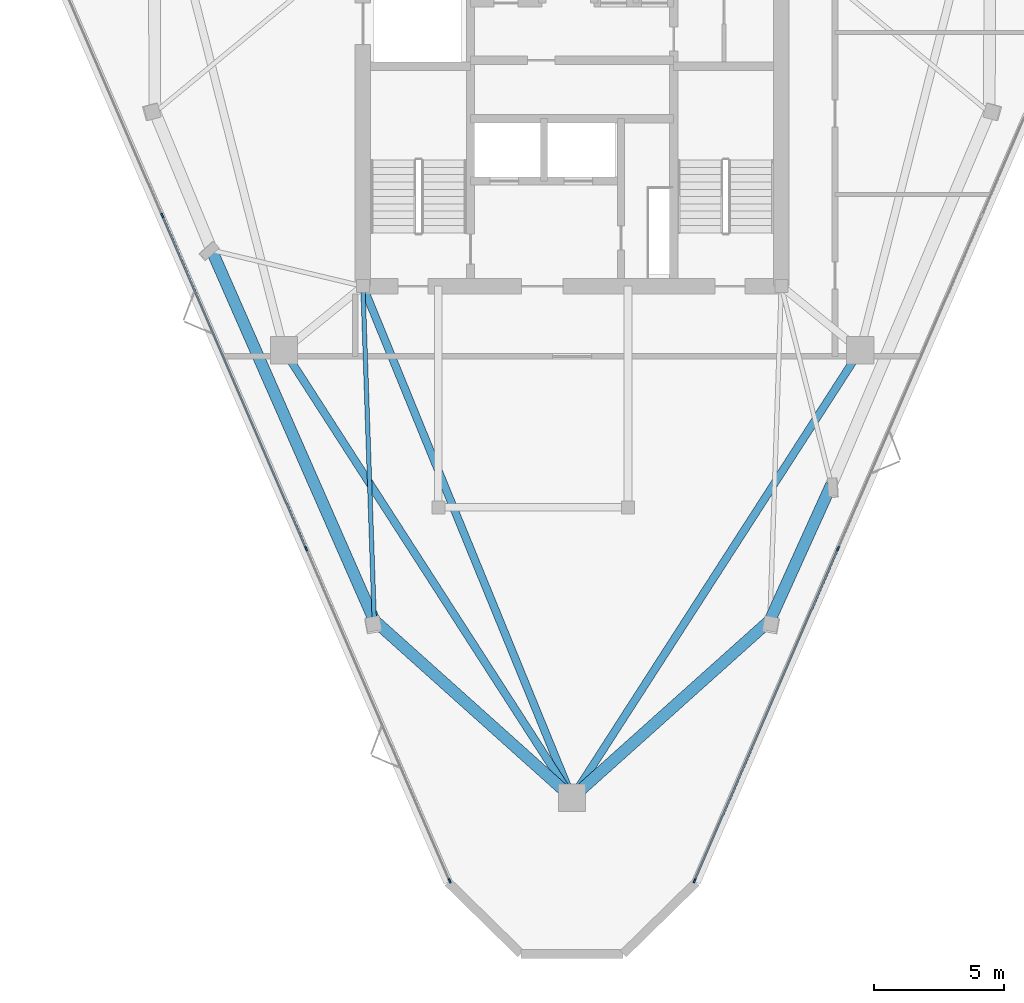
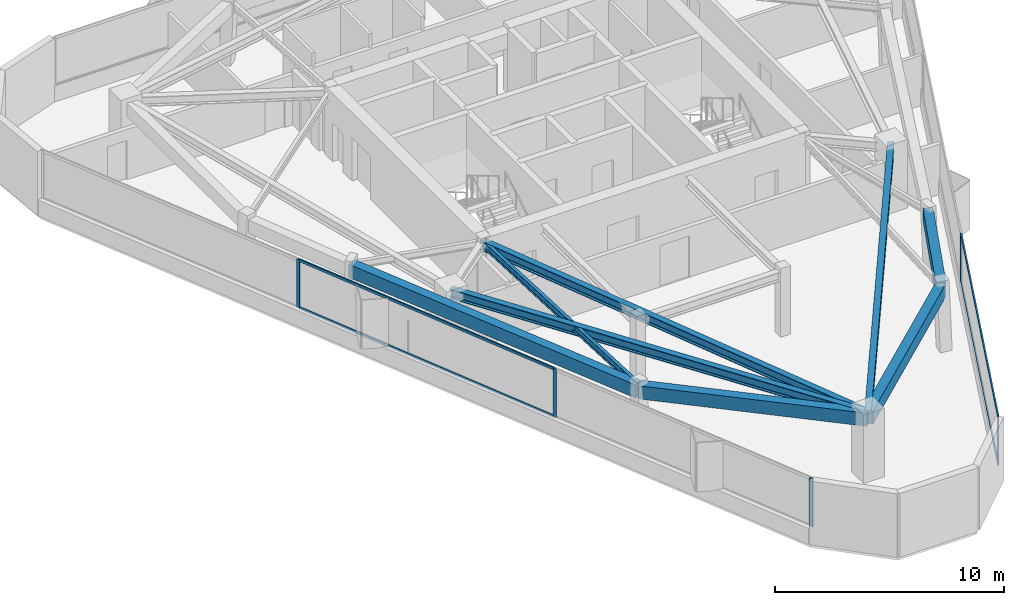
# One storey, part 2 of 10: 9 members, 8 beams, 2 elements without a shape of their own.
"""IFC4 building model written with IfcOpenShell, lengths in metres."""

from ifc_helpers import new_model, si_unit, direction, frame, origin, origin_2d, place, context, subcontext, project, spatial, rectangle, i_section, extrude, material, layer, layer_set, material_profile, profile_set, type_object, element, aggregate, save


model = new_model("IFC4")

# Units and contexts
model_context = context("Model", 3, precision=1e-05, world=origin(), true_north=direction((0.0, 1.0)))
body_context = subcontext(model_context, "Body", "Model", "MODEL_VIEW")
ifc_project = project(units=[si_unit("LENGTHUNIT", "METRE"), si_unit("AREAUNIT", "SQUARE_METRE"), si_unit("VOLUMEUNIT", "CUBIC_METRE"), si_unit("PLANEANGLEUNIT", "RADIAN"), si_unit("MASSUNIT", "GRAM", prefix="KILO")], contexts=[model_context])

# Site, building, storey
site_placement = place(None, origin())
site = spatial("IfcSite", under=ifc_project, at=site_placement, CompositionType="ELEMENT")
building_placement = place(site_placement, origin())
building = spatial("IfcBuilding", under=site, at=building_placement, Name="Talyreon Biosciences Tower", CompositionType="ELEMENT")
storey_placement = place(building_placement, frame((0.0, 0.0, 287.449951171875)))
storey = spatial("IfcBuildingStorey", under=building, at=storey_placement, Name="L76", CompositionType="ELEMENT", Elevation=287.449951171875)

# Curtain wall, members
ifc_material_1 = material(Name="Thermally broken aluminium and low-E glazing", Category="aluminium")
ifc_layer = layer(ifc_material_1, 0.175048828125)
ifc_layer_set = layer_set([ifc_layer], Name="Thermally broken aluminium and low-E glazing")
curtain_wall_type = type_object("IfcCurtainWallType", Name="CurtainWall_Zone5CompLab", PredefinedType="NOTDEFINED", material=ifc_layer_set)
curtain_wall_1_placement = place(storey_placement, origin())
curtain_wall_1 = element("IfcCurtainWall", 1, at=curtain_wall_1_placement, inside=storey, type_object=curtain_wall_type, Name="L76 Unitised Curtain Wall FCW-L76-00", PredefinedType="NOTDEFINED")
ifc_material_2 = material(Name="Anodised thermally broken aluminium", Category="aluminium")
ifc_material_profile_1 = material_profile(ifc_material_2, rectangle(XDim=0.06494140625, YDim=0.179931640625, at=origin_2d()), Name="ALUM MULLION 65x180")
ifc_profile_set_1 = profile_set([ifc_material_profile_1], Name="Anodised thermally broken aluminium")
member_type_1 = type_object("IfcMemberType", Name="CWMullion_65x180", PredefinedType="MULLION", material=ifc_profile_set_1)
member_1_placement = place(storey_placement, frame((61.286865234375, 38.467529296875, 0.81005859375), z_axis=(0.0, 0.0, 1.0), x_axis=(-0.918022435016, -0.396528446404, 0.0)))
member_1 = element("IfcMember", 2, at=member_1_placement, type_object=member_type_1, Name="CW6 mullion 1", PredefinedType="MULLION", context=body_context, shape_type="SweptSolid", body=[
    extrude(rectangle(XDim=0.06494140625, YDim=0.179931640625, at=origin_2d()), origin(), (0.0, 0.0, 1.0), 2.590087890625),
])
member_2_placement = place(storey_placement, frame((55.763916015625, 51.254150390625, 0.81005859375), z_axis=(0.0, 0.0, 1.0), x_axis=(-0.918022435016, -0.396528446404, 0.0)))
member_2 = element("IfcMember", 3, at=member_2_placement, type_object=member_type_1, Name="CW6 mullion 2", PredefinedType="MULLION", context=body_context, shape_type="SweptSolid", body=[
    extrude(rectangle(XDim=0.06494140625, YDim=0.179931640625, at=origin_2d()), origin(), (0.0, 0.0, 1.0), 2.590087890625),
])
member_3_placement = place(storey_placement, frame((50.227783203125, 64.070556640625, 0.81005859375), z_axis=(0.0, 0.0, 1.0), x_axis=(-0.918022435016, -0.396528446404, 0.0)))
member_3 = element("IfcMember", 4, at=member_3_placement, type_object=member_type_1, Name="CW6 mullion 3", PredefinedType="MULLION", context=body_context, shape_type="SweptSolid", body=[
    extrude(rectangle(XDim=0.06494140625, YDim=0.179931640625, at=origin_2d()), origin(), (0.0, 0.0, 1.0), 2.590087890625),
])

curtain_wall_2_placement = place(storey_placement, origin())
curtain_wall_2 = element("IfcCurtainWall", 5, at=curtain_wall_2_placement, inside=storey, type_object=curtain_wall_type, Name="L76 Unitised Curtain Wall FCW-L76-08", PredefinedType="NOTDEFINED")
member_4_placement = place(storey_placement, frame((76.236083984375, 51.254150390625, 0.81005859375), z_axis=(0.0, 0.0, 1.0), x_axis=(0.918022435016, -0.396528446404, 0.0)))
member_4 = element("IfcMember", 6, at=member_4_placement, type_object=member_type_1, Name="CW6 mullion 3", PredefinedType="MULLION", context=body_context, shape_type="SweptSolid", body=[
    extrude(rectangle(XDim=0.06494140625, YDim=0.179931640625, at=origin_2d()), origin(), (0.0, 0.0, 1.0), 2.590087890625),
])
member_5_placement = place(storey_placement, frame((70.713134765625, 38.467529296875, 0.81005859375), z_axis=(0.0, 0.0, 1.0), x_axis=(0.918022435016, -0.396528446404, 0.0)))
member_5 = element("IfcMember", 7, at=member_5_placement, type_object=member_type_1, Name="CW6 mullion 4", PredefinedType="MULLION", context=body_context, shape_type="SweptSolid", body=[
    extrude(rectangle(XDim=0.06494140625, YDim=0.179931640625, at=origin_2d()), origin(), (0.0, 0.0, 1.0), 2.590087890625),
])

# Member
ifc_material_profile_2 = material_profile(ifc_material_2, rectangle(XDim=0.06494140625, YDim=0.139892578125, at=origin_2d()), Name="ALUM TRANSOM 65x140")
ifc_profile_set_2 = profile_set([ifc_material_profile_2], Name="Anodised thermally broken aluminium")
member_type_2 = type_object("IfcMemberType", Name="CWTransom_65x140", PredefinedType="USERDEFINED", material=ifc_profile_set_2)
member_6_placement = place(storey_placement, frame((55.7509765625, 51.283935546875, 0.842529296875), z_axis=(-0.396534284653, 0.918019913234, 0.0), x_axis=(-0.918019913234, -0.396534284653, 0.0)))
member_6 = element("IfcMember", 8, at=member_6_placement, type_object=member_type_2, Name="CW6 transom 2.1", ObjectType="TRANSOM", PredefinedType="USERDEFINED", context=body_context, shape_type="SweptSolid", body=[
    extrude(rectangle(XDim=0.06494140625, YDim=0.139892578125, at=origin_2d()), origin(), (0.0, 0.0, 1.0), 13.89599609375),
])

member_7_placement = place(storey_placement, frame((55.7509765625, 51.283935546875, 3.367431640625), z_axis=(-0.396534284653, 0.918019913234, 0.0), x_axis=(-0.918019913234, -0.396534284653, 0.0)))
member_7 = element("IfcMember", 9, at=member_7_placement, type_object=member_type_2, Name="CW6 transom 2.2", ObjectType="TRANSOM", PredefinedType="USERDEFINED", context=body_context, shape_type="SweptSolid", body=[
    extrude(rectangle(XDim=0.06494140625, YDim=0.139892578125, at=origin_2d()), origin(), (0.0, 0.0, 1.0), 13.89599609375),
])

aggregate(curtain_wall_1, [member_1, member_2, member_3, member_6, member_7])

member_8_placement = place(storey_placement, frame((76.223388671875, 51.224365234375, 0.842529296875), z_axis=(-0.396529792405, -0.918021853626, 0.0), x_axis=(0.918021853626, -0.396529792405, 0.0)))
member_8 = element("IfcMember", 10, at=member_8_placement, type_object=member_type_2, Name="CW6 transom 3.1", ObjectType="TRANSOM", PredefinedType="USERDEFINED", context=body_context, shape_type="SweptSolid", body=[
    extrude(rectangle(XDim=0.06494140625, YDim=0.139892578125, at=origin_2d()), origin(), (0.0, 0.0, 1.0), 13.863525390625),
])

member_9_placement = place(storey_placement, frame((76.223388671875, 51.224365234375, 3.367431640625), z_axis=(-0.396529792405, -0.918021853626, 0.0), x_axis=(0.918021853626, -0.396529792405, 0.0)))
member_9 = element("IfcMember", 11, at=member_9_placement, type_object=member_type_2, Name="CW6 transom 3.2", ObjectType="TRANSOM", PredefinedType="USERDEFINED", context=body_context, shape_type="SweptSolid", body=[
    extrude(rectangle(XDim=0.06494140625, YDim=0.139892578125, at=origin_2d()), origin(), (0.0, 0.0, 1.0), 13.863525390625),
])

aggregate(curtain_wall_2, [member_4, member_5, member_8, member_9])

# Beams
ifc_material_3 = material(Name="Precast concrete C45/55", Category="concrete")
ifc_material_profile_3 = material_profile(ifc_material_3, rectangle(XDim=0.449951171875, YDim=0.699951171875, at=origin_2d()), Name="RCB 450x700")
ifc_profile_set_3 = profile_set([ifc_material_profile_3], Name="Precast concrete C45/55")
beam_type_1 = type_object("IfcBeamType", Name="ExpressedSpandrel_450x700", PredefinedType="SPANDREL", material=ifc_profile_set_3)
beam_1_placement = place(storey_placement, frame((66.0, 41.6669921875, 3.050048828125), z_axis=(0.744817036409, 0.667268748163, 0.0), x_axis=(-0.667268748163, 0.744817036409, 0.0)))
element("IfcBeam", 12, at=beam_1_placement, inside=storey, type_object=beam_type_1, Name="L76 Expressed Horizontal Concrete Spandrel 01", PredefinedType="SPANDREL", context=body_context, shape_type="SweptSolid", body=[
    extrude(rectangle(XDim=0.449951171875, YDim=0.699951171875, at=origin_2d()), origin(), (0.0, 0.0, 1.0), 10.222412109375),
])
beam_2_placement = place(storey_placement, frame((73.61376953125, 48.488037109375, 3.050048828125), z_axis=(0.412259581175, 0.911066428824, 0.0), x_axis=(-0.911066428824, 0.412259581175, 0.0)))
element("IfcBeam", 13, at=beam_2_placement, inside=storey, type_object=beam_type_1, Name="L76 Expressed Horizontal Concrete Spandrel 02", PredefinedType="SPANDREL", context=body_context, shape_type="SweptSolid", body=[
    extrude(rectangle(XDim=0.449951171875, YDim=0.699951171875, at=origin_2d()), origin(), (0.0, 0.0, 1.0), 5.73486328125),
])
beam_3_placement = place(storey_placement, frame((52.126708984375, 62.73828125, 3.050048828125), z_axis=(0.402168716254, -0.915565575842, 0.0), x_axis=(0.915565575842, 0.402168716254, 0.0)))
element("IfcBeam", 14, at=beam_3_placement, inside=storey, type_object=beam_type_1, Name="L76 Expressed Horizontal Concrete Spandrel 11", PredefinedType="SPANDREL", context=body_context, shape_type="SweptSolid", body=[
    extrude(rectangle(XDim=0.449951171875, YDim=0.699951171875, at=origin_2d()), origin(), (0.0, 0.0, 1.0), 15.564453125),
])
beam_4_placement = place(storey_placement, frame((58.38623046875, 48.488037109375, 3.050048828125), z_axis=(0.744817036409, -0.667268748163, 0.0), x_axis=(0.667268748163, 0.744817036409, 0.0)))
element("IfcBeam", 15, at=beam_4_placement, inside=storey, type_object=beam_type_1, Name="L76 Expressed Horizontal Concrete Spandrel 12", PredefinedType="SPANDREL", context=body_context, shape_type="SweptSolid", body=[
    extrude(rectangle(XDim=0.449951171875, YDim=0.699951171875, at=origin_2d()), origin(), (0.0, 0.0, 1.0), 10.222412109375),
])
ifc_material_4 = material(Name="Steel SM355", Category="steel")
ifc_material_profile_4 = material_profile(ifc_material_4, i_section(OverallWidth=0.300048828125, OverallDepth=0.5, WebThickness=0.014404296875, FlangeThickness=0.028076171875, FilletRadius=0.027099609375, at=origin_2d()), Name="HE500B")
ifc_profile_set_4 = profile_set([ifc_material_profile_4], Name="Steel SM355")
beam_type_2 = type_object("IfcBeamType", Name="SteelBeam_HE500B", PredefinedType="BEAM", material=ifc_profile_set_4)
for number, where, z_axis, x_axis, name in (
    (16, (66.0, 41.6669921875, 3.150146484375), (0.541463723609, 0.840724114092, 0.0), (-0.840724114092, 0.541463723609, 0.0), "L76 Mega-Ring Girder 1"),
    (17, (54.913818359375, 58.88037109375, 3.150146484375), (0.541463723609, -0.840724114092, 0.0), (0.840724114092, 0.541463723609, 0.0), "L76 Mega-Ring Girder 6"),
):
    element("IfcBeam", number, at=place(storey_placement, frame(where, z_axis=z_axis, x_axis=x_axis)), inside=storey, type_object=beam_type_2, Name=name, PredefinedType="BEAM", context=body_context, shape_type="SweptSolid", body=[
        extrude(i_section(OverallWidth=0.300048828125, OverallDepth=0.5, WebThickness=0.014404296875, FlangeThickness=0.028076171875, FilletRadius=0.027099609375, at=origin_2d()), origin(), (0.0, 0.0, 1.0), 20.474365234375),
    ])
beam_5_placement = place(storey_placement, frame((57.949951171875, 61.35009765625, 3.150146484375), z_axis=(0.378547014545, -0.925582064314, 0.0), x_axis=(0.925582064314, 0.378547014545, 0.0)))
element("IfcBeam", 18, at=beam_5_placement, inside=storey, type_object=beam_type_2, Name="L76 Radial Primary Girder 1", PredefinedType="BEAM", context=body_context, shape_type="SweptSolid", body=[
    extrude(i_section(OverallWidth=0.300048828125, OverallDepth=0.5, WebThickness=0.014404296875, FlangeThickness=0.028076171875, FilletRadius=0.027099609375, at=origin_2d()), origin(), (0.0, 0.0, 1.0), 21.265625),
])
ifc_material_profile_5 = material_profile(ifc_material_4, i_section(OverallWidth=0.169921875, OverallDepth=0.360107421875, WebThickness=0.008056640625, FlangeThickness=0.0126953125, FilletRadius=0.01806640625, at=origin_2d()), Name="IPE360")
ifc_profile_set_5 = profile_set([ifc_material_profile_5], Name="Steel SM355")
beam_type_3 = type_object("IfcBeamType", Name="SteelJoist_IPE360", PredefinedType="JOIST", material=ifc_profile_set_5)
beam_6_placement = place(storey_placement, frame((57.949951171875, 61.35009765625, 3.219970703125), z_axis=(0.033900363754, -0.999425217481, 0.0), x_axis=(0.999425217481, 0.033900363754, 0.0)))
element("IfcBeam", 19, at=beam_6_placement, inside=storey, type_object=beam_type_3, Name="L76 Radial Composite Floor Joist PC-SW2", PredefinedType="JOIST", context=body_context, shape_type="SweptSolid", body=[
    extrude(i_section(OverallWidth=0.169921875, OverallDepth=0.360107421875, WebThickness=0.008056640625, FlangeThickness=0.0126953125, FilletRadius=0.01806640625, at=origin_2d()), origin(), (0.0, 0.0, 1.0), 12.869384765625),
])

save(model, "model.ifc")
